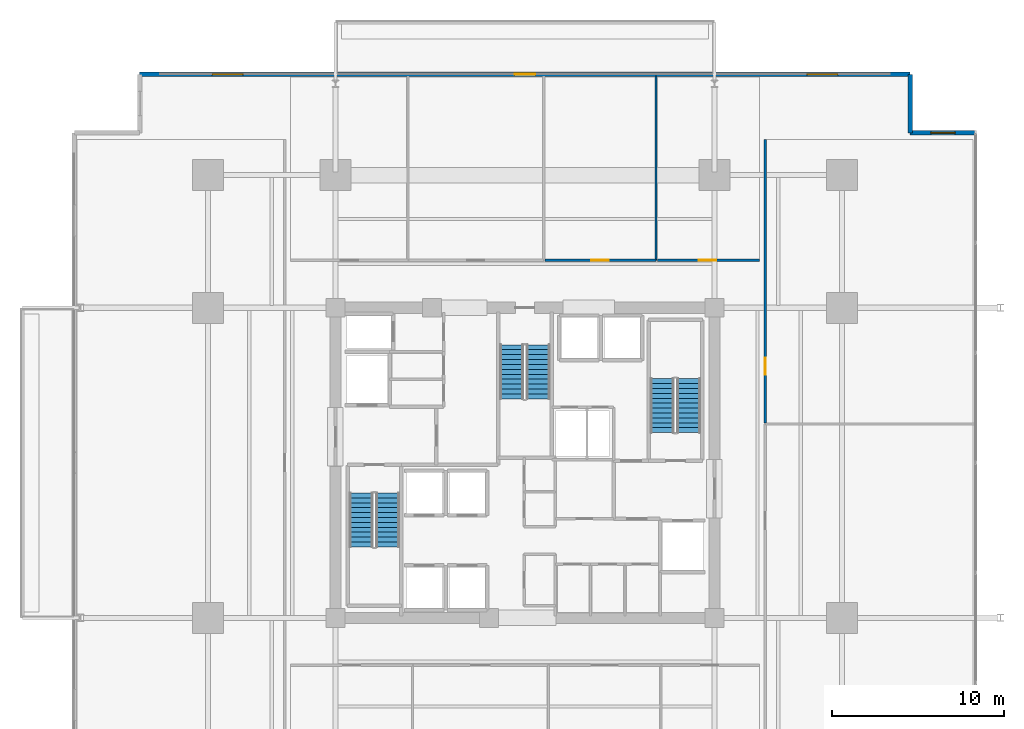
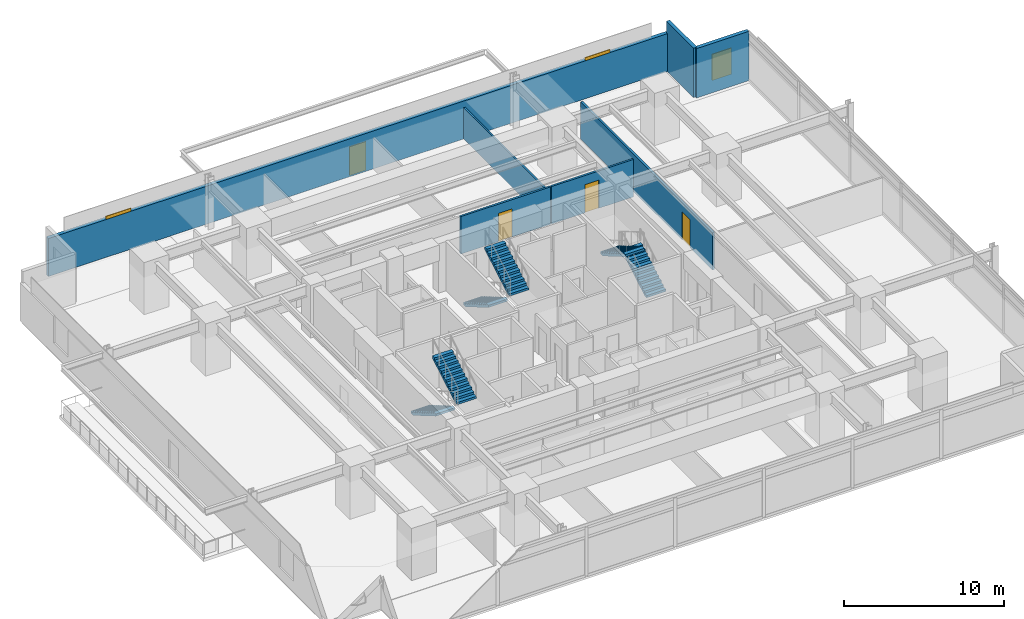
# One storey, part 16 of 20: 7 walls, 6 stair flights, 4 doors, 3 windows, 7 openings, 3 elements without a shape of their own.
"""IFC4 building model written with IfcOpenShell, lengths in metres."""

from ifc_helpers import new_model, si_unit, direction, frame, frame_2d, origin, place, context, subcontext, project, spatial, polyline, rectangle, outline, extrude, material, layer, layer_set, type_object, element, fill, aggregate, save


model = new_model("IFC4")

# Units and contexts
model_context = context("Model", 3, precision=1e-05, world=origin(), true_north=direction((0.0, 1.0)))
body_context = subcontext(model_context, "Body", "Model", "MODEL_VIEW")
ifc_project = project(units=[si_unit("LENGTHUNIT", "METRE"), si_unit("AREAUNIT", "SQUARE_METRE"), si_unit("VOLUMEUNIT", "CUBIC_METRE"), si_unit("PLANEANGLEUNIT", "RADIAN"), si_unit("MASSUNIT", "GRAM", prefix="KILO")], contexts=[model_context])

# Site, building, storey
site_placement = place(None, origin())
site = spatial("IfcSite", under=ifc_project, at=site_placement, CompositionType="ELEMENT")
building_placement = place(site_placement, origin())
building = spatial("IfcBuilding", under=site, at=building_placement, Name="Kovane Verandah Tower", CompositionType="ELEMENT")
storey_placement = place(building_placement, frame((0.0, 0.0, 75.60009765625)))
storey = spatial("IfcBuildingStorey", under=building, at=storey_placement, Name="L17", CompositionType="ELEMENT", Elevation=75.60009765625)

# Wall, opening, door
ifc_material_1 = material(Name="Fire-Rated Gypsum Stud Partition", Category="gypsum")
ifc_layer_1 = layer(ifc_material_1, 0.14990234375)
ifc_layer_set_1 = layer_set([ifc_layer_1], Name="Fire-Rated Gypsum Stud Partition")
wall_type_1 = type_object("IfcWallType", Name="WL-COR-150", PredefinedType="PARTITIONING", material=ifc_layer_set_1)
wall_1_placement = place(storey_placement, frame((41.157958984375, 39.25, 0.0), z_axis=(0.0, 0.0, 1.0), x_axis=(1.0, 0.0, 0.0)))
wall_1 = element("IfcWall", 1, at=wall_1_placement, inside=storey, type_object=wall_type_1, Name="L17 Collaboration Hub N3 Corridor Partition", PredefinedType="PARTITIONING", context=body_context, shape_type="SweptSolid", body=[
    extrude(rectangle(XDim=6.4580078125, YDim=0.14990234375, at=frame_2d((3.22900390625, 0.0))), origin(), (0.0, 0.0, 1.0), 2.849853515625),
])
opening_1_placement = place(wall_1_placement, frame((2.694091796875, 0.0, 0.0)))
opening_1 = element("IfcOpeningElement", 2, at=opening_1_placement, cuts=wall_1, Name="Opening DR-L17-023", PredefinedType="OPENING", context=body_context, shape_type="SweptSolid", body=[
    extrude(rectangle(XDim=1.0, YDim=2.14990234375, at=frame_2d((0.5, 1.074951171875))), frame((0.0, 0.074951171875, 0.0), z_axis=(0.0, -1.0, 0.0), x_axis=(1.0, 0.0, 0.0)), (0.0, 0.0, 1.0), 0.14990234375),
])
ifc_material_2 = material(Name="FSC Spotted-Gum Timber Fire-Rated Office Door", Category="wood")
door_type_1 = type_object("IfcDoorType", Name="DR-OFF-1000", OperationType="SINGLE_SWING_LEFT", PredefinedType="DOOR", material=ifc_material_2)
door_1_placement = place(opening_1_placement, origin())
door_1 = element("IfcDoor", 3, at=door_1_placement, inside=storey, type_object=door_type_1, Name="L17 Collaboration Hub N3 Entrance Door", OperationType="SINGLE_SWING_RIGHT", OverallHeight=2.14990234375, OverallWidth=1.0, PredefinedType="DOOR", context=body_context, shape_type="SweptSolid", body=[
    extrude(rectangle(XDim=1.0, YDim=2.14990234375, at=frame_2d((0.5, 1.074951171875))), frame((0.0, 0.02490234375, 0.0), z_axis=(0.0, -1.0, 0.0), x_axis=(1.0, 0.0, 0.0)), (0.0, 0.0, 1.0), 0.050048828125),
])
fill(opening_1, door_1)

wall_2_placement = place(storey_placement, frame((47.68603515625, 39.25, 0.0), z_axis=(0.0, 0.0, 1.0), x_axis=(1.0, 0.0, 0.0)))
wall_2 = element("IfcWall", 4, at=wall_2_placement, inside=storey, type_object=wall_type_1, Name="L17 Document and Print Room N4 Corridor Partition", PredefinedType="PARTITIONING", context=body_context, shape_type="SweptSolid", body=[
    extrude(rectangle(XDim=5.9140625, YDim=0.14990234375, at=frame_2d((2.95703125, 0.0))), origin(), (0.0, 0.0, 1.0), 2.849853515625),
])
opening_2_placement = place(wall_2_placement, frame((2.406982421875, 0.0, 0.0)))
opening_2 = element("IfcOpeningElement", 5, at=opening_2_placement, cuts=wall_2, Name="Opening DR-L17-024", PredefinedType="OPENING", context=body_context, shape_type="SweptSolid", body=[
    extrude(rectangle(XDim=1.0, YDim=2.14990234375, at=frame_2d((0.5, 1.074951171875))), frame((0.0, 0.074951171875, 0.0), z_axis=(0.0, -1.0, 0.0), x_axis=(1.0, 0.0, 0.0)), (0.0, 0.0, 1.0), 0.14990234375),
])
door_2_placement = place(opening_2_placement, origin())
door_2 = element("IfcDoor", 6, at=door_2_placement, inside=storey, type_object=door_type_1, Name="L17 Document and Print Room N4 Entrance Door", OperationType="SINGLE_SWING_LEFT", OverallHeight=2.14990234375, OverallWidth=1.0, PredefinedType="DOOR", context=body_context, shape_type="SweptSolid", body=[
    extrude(rectangle(XDim=1.0, YDim=2.14990234375, at=frame_2d((0.5, 1.074951171875))), frame((0.0, 0.02490234375, 0.0), z_axis=(0.0, -1.0, 0.0), x_axis=(1.0, 0.0, 0.0)), (0.0, 0.0, 1.0), 0.050048828125),
])
fill(opening_2, door_2)

wall_3_placement = place(storey_placement, frame((53.949951171875, 29.8203125, 0.0), z_axis=(0.0, 0.0, 1.0), x_axis=(0.0, 1.0, 0.0)))
wall_3 = element("IfcWall", 7, at=wall_3_placement, inside=storey, type_object=wall_type_1, Name="L17 Collaboration Hub E2 Corridor Partition", PredefinedType="PARTITIONING", context=body_context, shape_type="SweptSolid", body=[
    extrude(rectangle(XDim=16.433349609375, YDim=0.14990234375, at=frame_2d((8.216796875, 0.0))), origin(), (0.0, 0.0, 1.0), 2.849853515625),
])
opening_3_placement = place(wall_3_placement, frame((2.789794921875, 0.0, 0.0)))
opening_3 = element("IfcOpeningElement", 8, at=opening_3_placement, cuts=wall_3, Name="Opening DR-L17-014", PredefinedType="OPENING", context=body_context, shape_type="SweptSolid", body=[
    extrude(rectangle(XDim=1.0, YDim=2.14990234375, at=frame_2d((0.5, 1.074951171875))), frame((0.0, 0.074951171875, 0.0), z_axis=(0.0, -1.0, 0.0), x_axis=(1.0, 0.0, 0.0)), (0.0, 0.0, 1.0), 0.14990234375),
])
door_3_placement = place(opening_3_placement, origin())
door_3 = element("IfcDoor", 9, at=door_3_placement, inside=storey, type_object=door_type_1, Name="L17 Collaboration Hub E2 Entrance Door", OperationType="SINGLE_SWING_RIGHT", OverallHeight=2.14990234375, OverallWidth=1.0, PredefinedType="DOOR", context=body_context, shape_type="SweptSolid", body=[
    extrude(rectangle(XDim=1.0, YDim=2.14990234375, at=frame_2d((0.5, 1.074951171875))), frame((0.0, 0.02490234375, 0.0), z_axis=(0.0, -1.0, 0.0), x_axis=(1.0, 0.0, 0.0)), (0.0, 0.0, 1.0), 0.050048828125),
])
fill(opening_3, door_3)

# Wall
ifc_material_3 = material(Name="Acoustic Fire-Rated Gypsum Partition", Category="gypsum")
ifc_layer_2 = layer(ifc_material_3, 0.1201171875)
ifc_layer_set_2 = layer_set([ifc_layer_2], Name="Acoustic Fire-Rated Gypsum Partition")
wall_type_2 = type_object("IfcWallType", Name="WL-PART-120", PredefinedType="PARTITIONING", material=ifc_layer_set_2)
wall_4_placement = place(storey_placement, frame((47.615966796875, 39.25, 0.0), z_axis=(0.0, 0.0, 1.0), x_axis=(0.0, 1.0, 0.0)))
element("IfcWall", 10, at=wall_4_placement, inside=storey, type_object=wall_type_2, Name="L17 Collaboration Hub N3 Dividing Partition", PredefinedType="PARTITIONING", context=body_context, shape_type="SweptSolid", body=[
    extrude(rectangle(XDim=10.70361328125, YDim=0.1201171875, at=frame_2d((5.351806640625, 0.0))), origin(), (0.0, 0.0, 1.0), 2.389892578125),
])

# Wall, openings, door, windows
ifc_material_4 = material(Name="Concrete C45/55 Insulated Spandrel Wall", Category="concrete")
ifc_layer_3 = layer(ifc_material_4, 0.260009765625)
ifc_layer_set_3 = layer_set([ifc_layer_3], Name="Concrete C45/55 Insulated Spandrel Wall")
wall_type_3 = type_object("IfcWallType", Name="WL-SPANDREL-260", PredefinedType="PARAPET", material=ifc_layer_set_3)
wall_5_placement = place(storey_placement, frame((62.3623046875, 50.0537109375, 0.0), z_axis=(0.0, 0.0, 1.0), x_axis=(-1.0, 0.0, 0.0)))
wall_5 = element("IfcWall", 11, at=wall_5_placement, inside=storey, type_object=wall_type_3, Name="L17 N Verandah Access Facade Wall", PredefinedType="PARAPET", context=body_context, shape_type="SweptSolid", body=[
    extrude(rectangle(XDim=44.724609375, YDim=0.260009765625, at=frame_2d((22.3623046875, 0.0))), origin(), (0.0, 0.0, 1.0), 2.88916015625),
])
opening_4_placement = place(wall_5_placement, frame((4.199951171875, 0.0, 0.85009765625)))
opening_4 = element("IfcOpeningElement", 12, at=opening_4_placement, cuts=wall_5, Name="Opening W-03", PredefinedType="OPENING", context=body_context, shape_type="SweptSolid", body=[
    extrude(rectangle(XDim=1.800048828125, YDim=2.199951171875, at=frame_2d((0.89990234375, 1.10009765625))), frame((0.0, 0.1298828125, 0.0), z_axis=(0.0, -1.0, 0.0), x_axis=(1.0, 0.0, 0.0)), (0.0, 0.0, 1.0), 0.260009765625),
])
opening_5_placement = place(wall_5_placement, frame((21.762451171875, 0.0, 0.0)))
opening_5 = element("IfcOpeningElement", 13, at=opening_5_placement, cuts=wall_5, Name="Opening DR-L17-001", PredefinedType="OPENING", context=body_context, shape_type="SweptSolid", body=[
    extrude(rectangle(XDim=1.199951171875, YDim=2.199951171875, at=frame_2d((0.60009765625, 1.10009765625))), frame((0.0, 0.1298828125, 0.0), z_axis=(0.0, -1.0, 0.0), x_axis=(1.0, 0.0, 0.0)), (0.0, 0.0, 1.0), 0.260009765625),
])
opening_6_placement = place(wall_5_placement, frame((38.724853515625, 0.0, 0.85009765625)))
opening_6 = element("IfcOpeningElement", 14, at=opening_6_placement, cuts=wall_5, Name="Opening W-03", PredefinedType="OPENING", context=body_context, shape_type="SweptSolid", body=[
    extrude(rectangle(XDim=1.800048828125, YDim=2.199951171875, at=frame_2d((0.89990234375, 1.10009765625))), frame((0.0, 0.1298828125, 0.0), z_axis=(0.0, -1.0, 0.0), x_axis=(1.0, 0.0, 0.0)), (0.0, 0.0, 1.0), 0.260009765625),
])
ifc_material_5 = material(Name="Cyclone-Rated Glazed Balcony Leaf Door", Category="aluminium")
door_type_2 = type_object("IfcDoorType", Name="DR-BAL-1200x2200", OperationType="SINGLE_SWING_LEFT", PredefinedType="DOOR", material=ifc_material_5)
door_4_placement = place(opening_5_placement, origin())
door_4 = element("IfcDoor", 15, at=door_4_placement, inside=storey, type_object=door_type_2, Name="L17 N Planted Balcony Access Door", OperationType="SINGLE_SWING_LEFT", OverallHeight=2.199951171875, OverallWidth=1.199951171875, PredefinedType="DOOR", context=body_context, shape_type="SweptSolid", body=[
    extrude(rectangle(XDim=1.199951171875, YDim=2.199951171875, at=frame_2d((0.60009765625, 1.10009765625))), frame((0.0, 0.02490234375, 0.0), z_axis=(0.0, -1.0, 0.0), x_axis=(1.0, 0.0, 0.0)), (0.0, 0.0, 1.0), 0.050048828125),
])
fill(opening_5, door_4)
ifc_material_6 = material(Name="Clear Low-E Laminated Double Glazing in Anodised Frame", Category="glass")
window_type_1 = type_object("IfcWindowType", Name="WN-NOTCH-1800x2200", PartitioningType="SINGLE_PANEL", PredefinedType="WINDOW", material=ifc_material_6)
window_1_placement = place(opening_4_placement, origin())
window_1 = element("IfcWindow", 16, at=window_1_placement, inside=storey, type_object=window_type_1, Name="L17 N Verandah View Window 1", OverallHeight=2.199951171875, OverallWidth=1.800048828125, PartitioningType="SINGLE_PANEL", PredefinedType="WINDOW", context=body_context, shape_type="SweptSolid", body=[
    extrude(rectangle(XDim=1.800048828125, YDim=2.199951171875, at=frame_2d((0.89990234375, 1.10009765625))), frame((0.0, 0.030029296875, 0.0), z_axis=(0.0, -1.0, 0.0), x_axis=(1.0, 0.0, 0.0)), (0.0, 0.0, 1.0), 0.06005859375),
])
fill(opening_4, window_1)
window_2_placement = place(opening_6_placement, origin())
window_2 = element("IfcWindow", 17, at=window_2_placement, inside=storey, type_object=window_type_1, Name="L17 N Verandah View Window 2", OverallHeight=2.199951171875, OverallWidth=1.800048828125, PartitioningType="SINGLE_PANEL", PredefinedType="WINDOW", context=body_context, shape_type="SweptSolid", body=[
    extrude(rectangle(XDim=1.800048828125, YDim=2.199951171875, at=frame_2d((0.89990234375, 1.10009765625))), frame((0.0, 0.030029296875, 0.0), z_axis=(0.0, -1.0, 0.0), x_axis=(1.0, 0.0, 0.0)), (0.0, 0.0, 1.0), 0.06005859375),
])
fill(opening_6, window_2)

# Wall, opening, window
wall_6_placement = place(storey_placement, frame((66.162353515625, 46.65380859375, 0.0), z_axis=(0.0, 0.0, 1.0), x_axis=(-1.0, 0.0, 0.0)))
wall_6 = element("IfcWall", 18, at=wall_6_placement, inside=storey, type_object=wall_type_3, Name="L17 NE Notch Cheek Wall 1", PredefinedType="PARAPET", context=body_context, shape_type="SweptSolid", body=[
    extrude(rectangle(XDim=3.800048828125, YDim=0.260009765625, at=frame_2d((1.89990234375, 0.0))), origin(), (0.0, 0.0, 1.0), 3.760009765625),
])
opening_7_placement = place(wall_6_placement, frame((1.199951171875, 0.0, 0.85009765625)))
opening_7 = element("IfcOpeningElement", 19, at=opening_7_placement, cuts=wall_6, Name="Opening W-01", PredefinedType="OPENING", context=body_context, shape_type="SweptSolid", body=[
    extrude(rectangle(XDim=1.39990234375, YDim=2.0, at=frame_2d((0.699951171875, 1.0))), frame((0.0, 0.1298828125, 0.0), z_axis=(0.0, -1.0, 0.0), x_axis=(1.0, 0.0, 0.0)), (0.0, 0.0, 1.0), 0.260009765625),
])
window_type_2 = type_object("IfcWindowType", Name="WN-OPER-1400x2000", PartitioningType="SINGLE_PANEL", PredefinedType="WINDOW", material=ifc_material_6)
window_3_placement = place(opening_7_placement, origin())
window_3 = element("IfcWindow", 20, at=window_3_placement, inside=storey, type_object=window_type_2, Name="L17 NE Re-Entrant Corner Operable Window", OverallHeight=2.0, OverallWidth=1.39990234375, PartitioningType="SINGLE_PANEL", PredefinedType="WINDOW", context=body_context, shape_type="SweptSolid", body=[
    extrude(rectangle(XDim=1.39990234375, YDim=2.0, at=frame_2d((0.699951171875, 1.0))), frame((0.0, 0.030029296875, 0.0), z_axis=(0.0, -1.0, 0.0), x_axis=(1.0, 0.0, 0.0)), (0.0, 0.0, 1.0), 0.06005859375),
])
fill(opening_7, window_3)

# Wall
wall_7_placement = place(storey_placement, frame((62.3623046875, 46.65380859375, 0.0), z_axis=(0.0, 0.0, 1.0), x_axis=(0.0, 1.0, 0.0)))
element("IfcWall", 21, at=wall_7_placement, inside=storey, type_object=wall_type_3, Name="L17 NE Notch Cheek Wall 2", PredefinedType="PARAPET", context=body_context, shape_type="SweptSolid", body=[
    extrude(rectangle(XDim=3.39990234375, YDim=0.260009765625, at=frame_2d((1.699951171875, 0.0))), origin(), (0.0, 0.0, 1.0), 3.760009765625),
])

# Stair, stair flights
ifc_material_7 = material(Name="Concrete C45/55", Category="concrete")
stair_type = type_object("IfcStairType", Name="ST-CORE-1380", PredefinedType="HALF_TURN_STAIR", material=ifc_material_7)
stair_1_placement = place(storey_placement, origin())
stair_1 = element("IfcStair", 22, at=stair_1_placement, inside=storey, type_object=stair_type, Name="L17 Exit Stair ST-01", PredefinedType="HALF_TURN_STAIR")
stair_flight_type = type_object("IfcStairFlightType", Name="STF-CORE-1380", PredefinedType="STRAIGHT", material=ifc_material_7)
stair_flight_1_placement = place(storey_placement, frame((30.489990234375, 25.75, 0.0), z_axis=(0.0, 0.0, 1.0), x_axis=(0.0, -1.0, 0.0)))
stair_flight_1 = element("IfcStairFlight", 23, at=stair_flight_1_placement, type_object=stair_flight_type, Name="ST-01 flight 1", NumberOfRisers=12, NumberOfTreads=11, PredefinedType="STRAIGHT", RiserHeight=0.166666667, TreadLength=0.285, context=body_context, shape_type="SweptSolid", body=[
    extrude(outline(polyline([(0.0, 0.0), (0.0, 0.166748046875), (0.284912109375, 0.166748046875), (0.284912109375, 0.333251953125), (0.570068359375, 0.333251953125), (0.570068359375, 0.5), (0.85498046875, 0.5), (0.85498046875, 0.666748046875), (1.139892578125, 0.666748046875), (1.139892578125, 0.833251953125), (1.425048828125, 0.833251953125), (1.425048828125, 1.0), (1.7099609375, 1.0), (1.7099609375, 1.166748046875), (1.9951171875, 1.166748046875), (1.9951171875, 1.333251953125), (2.280029296875, 1.333251953125), (2.280029296875, 1.5), (2.56494140625, 1.5), (2.56494140625, 1.666748046875), (2.85009765625, 1.666748046875), (2.85009765625, 1.833251953125), (3.135009765625, 1.833251953125), (3.135009765625, 2.0), (3.135009765625, 1.65966796875), (0.296875, 0.0), (0.0, 0.0)])), frame((0.0, 0.68994140625, 0.0), z_axis=(0.0, -1.0, 0.0), x_axis=(1.0, 0.0, 0.0)), (0.0, 0.0, 1.0), 1.3798828125),
])
stair_flight_2_placement = place(storey_placement, frame((32.030029296875, 22.614990234375, 2.0), z_axis=(0.0, 0.0, 1.0), x_axis=(0.0, 1.0, 0.0)))
stair_flight_2 = element("IfcStairFlight", 24, at=stair_flight_2_placement, type_object=stair_flight_type, Name="ST-01 flight 2", NumberOfRisers=12, NumberOfTreads=11, PredefinedType="STRAIGHT", RiserHeight=0.166666667, TreadLength=0.285, context=body_context, shape_type="SweptSolid", body=[
    extrude(outline(polyline([(0.0, 0.0), (0.0, 0.166748046875), (0.284912109375, 0.166748046875), (0.284912109375, 0.333251953125), (0.570068359375, 0.333251953125), (0.570068359375, 0.5), (0.85498046875, 0.5), (0.85498046875, 0.666748046875), (1.139892578125, 0.666748046875), (1.139892578125, 0.833251953125), (1.425048828125, 0.833251953125), (1.425048828125, 1.0), (1.7099609375, 1.0), (1.7099609375, 1.166748046875), (1.9951171875, 1.166748046875), (1.9951171875, 1.333251953125), (2.280029296875, 1.333251953125), (2.280029296875, 1.5), (2.56494140625, 1.5), (2.56494140625, 1.666748046875), (2.85009765625, 1.666748046875), (2.85009765625, 1.833251953125), (3.135009765625, 1.833251953125), (3.135009765625, 2.0), (3.135009765625, 1.65966796875), (0.296875, 0.0), (0.0, 0.0)])), frame((0.0, 0.68994140625, 0.0), z_axis=(0.0, -1.0, 0.0), x_axis=(1.0, 0.0, 0.0)), (0.0, 0.0, 1.0), 1.3798828125),
])
aggregate(stair_1, [stair_flight_1, stair_flight_2])

stair_2_placement = place(storey_placement, origin())
stair_2 = element("IfcStair", 25, at=stair_2_placement, inside=storey, type_object=stair_type, Name="L17 Exit Stair ST-02", PredefinedType="HALF_TURN_STAIR")
stair_flight_3_placement = place(storey_placement, frame((49.510009765625, 29.25, 0.0), z_axis=(0.0, 0.0, 1.0), x_axis=(0.0, 1.0, 0.0)))
stair_flight_3 = element("IfcStairFlight", 26, at=stair_flight_3_placement, type_object=stair_flight_type, Name="ST-02 flight 1", NumberOfRisers=12, NumberOfTreads=11, PredefinedType="STRAIGHT", RiserHeight=0.166666667, TreadLength=0.285, context=body_context, shape_type="SweptSolid", body=[
    extrude(outline(polyline([(0.0, 0.0), (0.0, 0.166748046875), (0.284912109375, 0.166748046875), (0.284912109375, 0.333251953125), (0.570068359375, 0.333251953125), (0.570068359375, 0.5), (0.85498046875, 0.5), (0.85498046875, 0.666748046875), (1.139892578125, 0.666748046875), (1.139892578125, 0.833251953125), (1.425048828125, 0.833251953125), (1.425048828125, 1.0), (1.7099609375, 1.0), (1.7099609375, 1.166748046875), (1.9951171875, 1.166748046875), (1.9951171875, 1.333251953125), (2.280029296875, 1.333251953125), (2.280029296875, 1.5), (2.56494140625, 1.5), (2.56494140625, 1.666748046875), (2.85009765625, 1.666748046875), (2.85009765625, 1.833251953125), (3.135009765625, 1.833251953125), (3.135009765625, 2.0), (3.135009765625, 1.65966796875), (0.296875, 0.0), (0.0, 0.0)])), frame((0.0, 0.68994140625, 0.0), z_axis=(0.0, -1.0, 0.0), x_axis=(1.0, 0.0, 0.0)), (0.0, 0.0, 1.0), 1.3798828125),
])
stair_flight_4_placement = place(storey_placement, frame((47.969970703125, 32.385009765625, 2.0), z_axis=(0.0, 0.0, 1.0), x_axis=(0.0, -1.0, 0.0)))
stair_flight_4 = element("IfcStairFlight", 27, at=stair_flight_4_placement, type_object=stair_flight_type, Name="ST-02 flight 2", NumberOfRisers=12, NumberOfTreads=11, PredefinedType="STRAIGHT", RiserHeight=0.166666667, TreadLength=0.285, context=body_context, shape_type="SweptSolid", body=[
    extrude(outline(polyline([(0.0, 0.0), (0.0, 0.166748046875), (0.284912109375, 0.166748046875), (0.284912109375, 0.333251953125), (0.570068359375, 0.333251953125), (0.570068359375, 0.5), (0.85498046875, 0.5), (0.85498046875, 0.666748046875), (1.139892578125, 0.666748046875), (1.139892578125, 0.833251953125), (1.425048828125, 0.833251953125), (1.425048828125, 1.0), (1.7099609375, 1.0), (1.7099609375, 1.166748046875), (1.9951171875, 1.166748046875), (1.9951171875, 1.333251953125), (2.280029296875, 1.333251953125), (2.280029296875, 1.5), (2.56494140625, 1.5), (2.56494140625, 1.666748046875), (2.85009765625, 1.666748046875), (2.85009765625, 1.833251953125), (3.135009765625, 1.833251953125), (3.135009765625, 2.0), (3.135009765625, 1.65966796875), (0.296875, 0.0), (0.0, 0.0)])), frame((0.0, 0.68994140625, 0.0), z_axis=(0.0, -1.0, 0.0), x_axis=(1.0, 0.0, 0.0)), (0.0, 0.0, 1.0), 1.3798828125),
])
aggregate(stair_2, [stair_flight_3, stair_flight_4])

stair_3_placement = place(storey_placement, origin())
stair_3 = element("IfcStair", 28, at=stair_3_placement, inside=storey, type_object=stair_type, Name="L17 Exit Stair ST-03", PredefinedType="HALF_TURN_STAIR")
stair_flight_5_placement = place(storey_placement, frame((39.22998046875, 34.35009765625, 0.0), z_axis=(0.0, 0.0, 1.0), x_axis=(0.0, -1.0, 0.0)))
stair_flight_5 = element("IfcStairFlight", 29, at=stair_flight_5_placement, type_object=stair_flight_type, Name="ST-03 flight 1", NumberOfRisers=12, NumberOfTreads=11, PredefinedType="STRAIGHT", RiserHeight=0.166666667, TreadLength=0.285, context=body_context, shape_type="SweptSolid", body=[
    extrude(outline(polyline([(0.0, 0.0), (0.0, 0.166748046875), (0.284912109375, 0.166748046875), (0.284912109375, 0.333251953125), (0.570068359375, 0.333251953125), (0.570068359375, 0.5), (0.85498046875, 0.5), (0.85498046875, 0.666748046875), (1.139892578125, 0.666748046875), (1.139892578125, 0.833251953125), (1.425048828125, 0.833251953125), (1.425048828125, 1.0), (1.7099609375, 1.0), (1.7099609375, 1.166748046875), (1.9951171875, 1.166748046875), (1.9951171875, 1.333251953125), (2.280029296875, 1.333251953125), (2.280029296875, 1.5), (2.56494140625, 1.5), (2.56494140625, 1.666748046875), (2.85009765625, 1.666748046875), (2.85009765625, 1.833251953125), (3.135009765625, 1.833251953125), (3.135009765625, 2.0), (3.135009765625, 1.65966796875), (0.296875, 0.0), (0.0, 0.0)])), frame((0.0, 0.68994140625, 0.0), z_axis=(0.0, -1.0, 0.0), x_axis=(1.0, 0.0, 0.0)), (0.0, 0.0, 1.0), 1.3798828125),
])
stair_flight_6_placement = place(storey_placement, frame((40.77001953125, 31.215087890625, 2.0), z_axis=(0.0, 0.0, 1.0), x_axis=(0.0, 1.0, 0.0)))
stair_flight_6 = element("IfcStairFlight", 30, at=stair_flight_6_placement, type_object=stair_flight_type, Name="ST-03 flight 2", NumberOfRisers=12, NumberOfTreads=11, PredefinedType="STRAIGHT", RiserHeight=0.166666667, TreadLength=0.285, context=body_context, shape_type="SweptSolid", body=[
    extrude(outline(polyline([(0.0, 0.0), (0.0, 0.166748046875), (0.284912109375, 0.166748046875), (0.284912109375, 0.333251953125), (0.570068359375, 0.333251953125), (0.570068359375, 0.5), (0.85498046875, 0.5), (0.85498046875, 0.666748046875), (1.139892578125, 0.666748046875), (1.139892578125, 0.833251953125), (1.425048828125, 0.833251953125), (1.425048828125, 1.0), (1.7099609375, 1.0), (1.7099609375, 1.166748046875), (1.9951171875, 1.166748046875), (1.9951171875, 1.333251953125), (2.280029296875, 1.333251953125), (2.280029296875, 1.5), (2.56494140625, 1.5), (2.56494140625, 1.666748046875), (2.85009765625, 1.666748046875), (2.85009765625, 1.833251953125), (3.135009765625, 1.833251953125), (3.135009765625, 2.0), (3.135009765625, 1.65966796875), (0.296875, 0.0), (0.0, 0.0)])), frame((0.0, 0.68994140625, 0.0), z_axis=(0.0, -1.0, 0.0), x_axis=(1.0, 0.0, 0.0)), (0.0, 0.0, 1.0), 1.3798828125),
])
aggregate(stair_3, [stair_flight_5, stair_flight_6])

save(model, "model.ifc")
